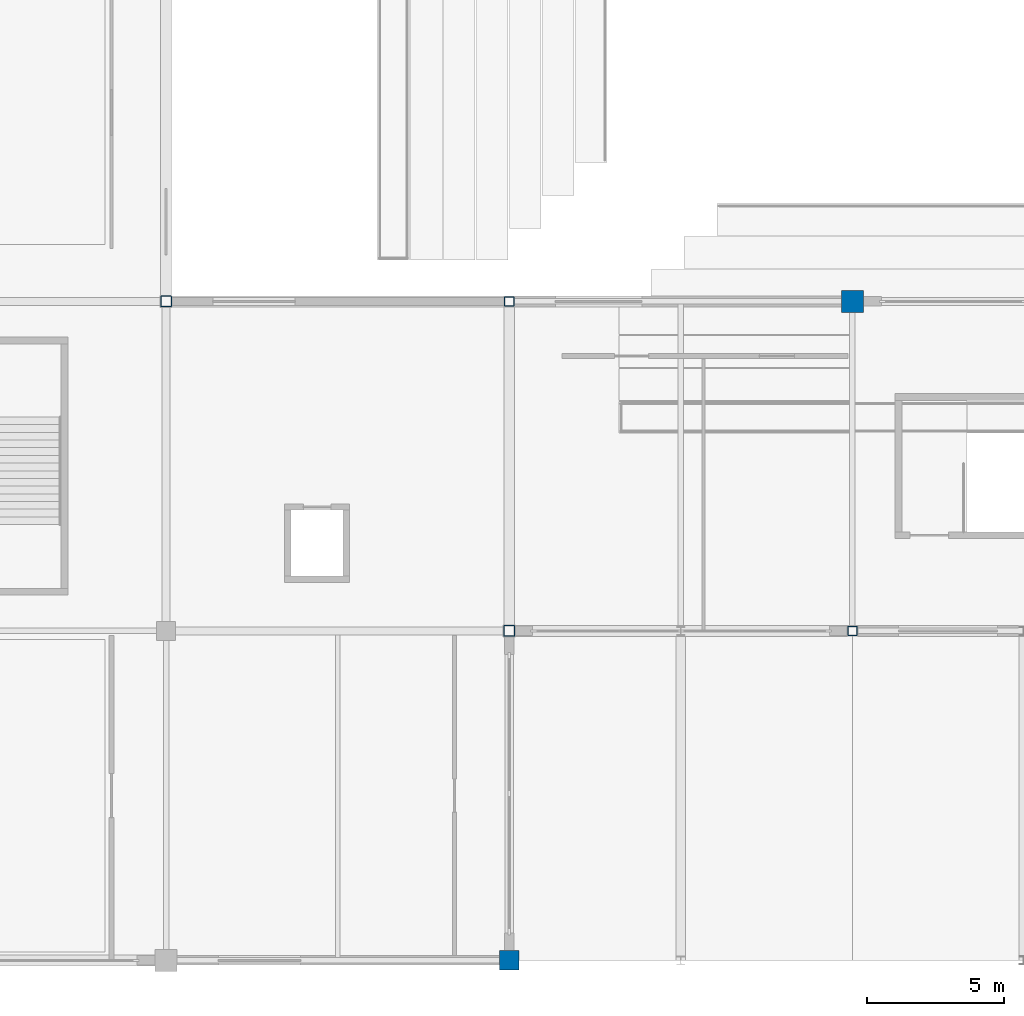
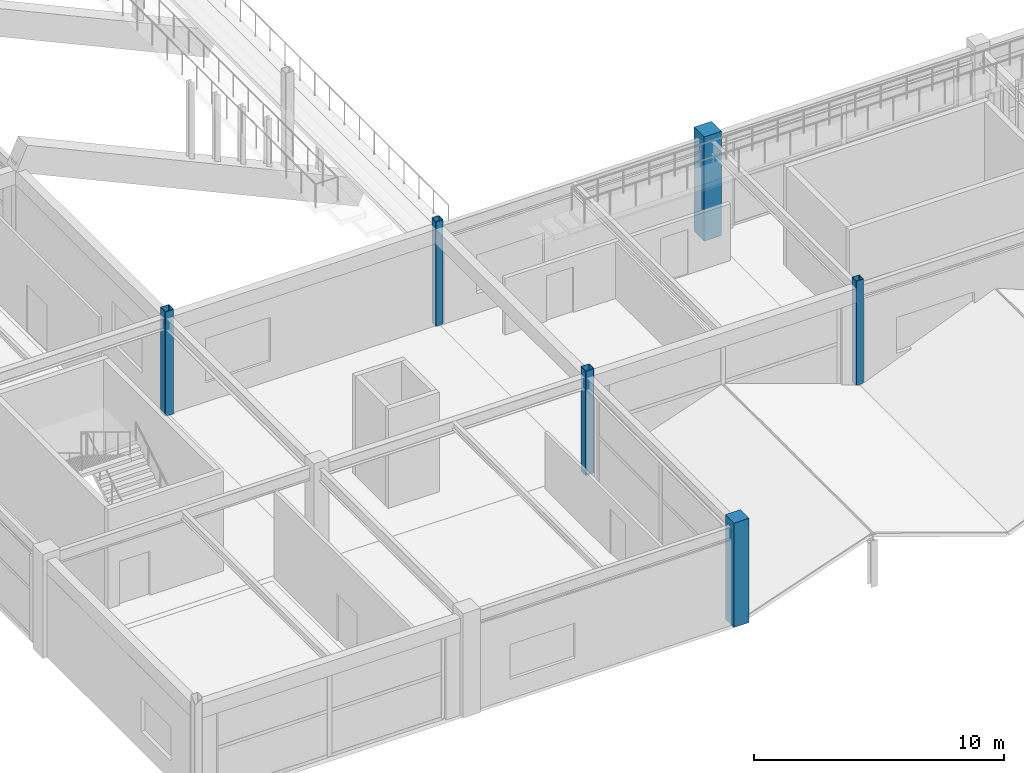
# One storey, part 2 of 128: 6 columns.
"""IFC4 building model written with IfcOpenShell, lengths in metres."""

from ifc_helpers import new_model, si_unit, direction, frame, origin, origin_2d, place, context, subcontext, project, spatial, rectangle, hollow_rectangle, extrude, material, material_profile, profile_set, type_object, element, save


model = new_model("IFC4")

# Units and contexts
model_context = context("Model", 3, precision=1e-05, world=origin(), true_north=direction((0.0, 1.0)))
body_context = subcontext(model_context, "Body", "Model", "MODEL_VIEW")
ifc_project = project(units=[si_unit("LENGTHUNIT", "METRE"), si_unit("AREAUNIT", "SQUARE_METRE"), si_unit("VOLUMEUNIT", "CUBIC_METRE"), si_unit("PLANEANGLEUNIT", "RADIAN"), si_unit("MASSUNIT", "GRAM", prefix="KILO")], contexts=[model_context])

# Site, building, storey
site_placement = place(None, origin())
site = spatial("IfcSite", under=ifc_project, at=site_placement, CompositionType="ELEMENT")
building_placement = place(site_placement, origin())
building = spatial("IfcBuilding", under=site, at=building_placement, Name="Kazenohara Klinker Stadium", CompositionType="ELEMENT")
storey_placement = place(building_placement, frame((0.0, 0.0, 15.300048828125)))
storey = spatial("IfcBuildingStorey", under=building, at=storey_placement, Name="L03", CompositionType="ELEMENT", Elevation=15.300048828125)

# Columns
ifc_material_1 = material(Name="Concrete C40/50", Category="concrete")
ifc_material_profile_1 = material_profile(ifc_material_1, rectangle(XDim=0.800048828125, YDim=0.800048828125, at=origin_2d()), Name="RC-COL-800x800")
ifc_profile_set_1 = profile_set([ifc_material_profile_1], Name="Concrete C40/50")
column_type_1 = type_object("IfcColumnType", Name="COL-RC05", PredefinedType="COLUMN", material=ifc_profile_set_1)
column_1_placement = place(storey_placement, frame((61.5, 36.0, 0.0), z_axis=(0.0, 0.0, 1.0), x_axis=(1.0, 0.0, 0.0)))
element("IfcColumn", 1, at=column_1_placement, inside=storey, type_object=column_type_1, Name="Column C05 L03 6/D", PredefinedType="COLUMN", context=body_context, shape_type="SweptSolid", body=[
    extrude(rectangle(XDim=0.800048828125, YDim=0.800048828125, at=origin_2d()), origin(), (0.0, 0.0, 1.0), 5.099853515625),
])
ifc_material_profile_2 = material_profile(ifc_material_1, rectangle(XDim=0.699951171875, YDim=0.699951171875, at=origin_2d()), Name="RC-COL-700x700")
ifc_profile_set_2 = profile_set([ifc_material_profile_2], Name="Concrete C40/50")
column_type_2 = type_object("IfcColumnType", Name="COL-RC06", PredefinedType="COLUMN", material=ifc_profile_set_2)
column_2_placement = place(storey_placement, frame((49.0, 12.0, 0.0), z_axis=(0.0, 0.0, 1.0), x_axis=(1.0, 0.0, 0.0)))
element("IfcColumn", 2, at=column_2_placement, inside=storey, type_object=column_type_2, Name="Column C06 L03 5/B", PredefinedType="COLUMN", context=body_context, shape_type="SweptSolid", body=[
    extrude(rectangle(XDim=0.699951171875, YDim=0.699951171875, at=origin_2d()), origin(), (0.0, 0.0, 1.0), 5.099853515625),
])
ifc_material_2 = material(Name="Steel S355", Category="steel")
ifc_material_profile_3 = material_profile(ifc_material_2, hollow_rectangle(XDim=0.39990234375, YDim=0.39990234375, WallThickness=0.01611328125, InnerFilletRadius=0.01611328125, OuterFilletRadius=0.031982421875, at=origin_2d()), Name="SHS-400x400x16")
ifc_profile_set_3 = profile_set([ifc_material_profile_3], Name="Steel S355")
column_type_3 = type_object("IfcColumnType", Name="COL-ST01", PredefinedType="COLUMN", material=ifc_profile_set_3)
for number, where, z_axis, x_axis, name in (
    (3, (36.5, 36.0, 0.0), (0.0, 0.0, 1.0), (1.0, 0.0, 0.0), "Column SC01 L03 4/D"),
    (4, (49.0, 24.0, 0.0), (0.0, 0.0, 1.0), (1.0, 0.0, 0.0), "Column SC01 L03 5/C"),
):
    element("IfcColumn", number, at=place(storey_placement, frame(where, z_axis=z_axis, x_axis=x_axis)), inside=storey, type_object=column_type_3, Name=name, PredefinedType="COLUMN", context=body_context, shape_type="SweptSolid", body=[
        extrude(hollow_rectangle(XDim=0.39990234375, YDim=0.39990234375, WallThickness=0.01611328125, InnerFilletRadius=0.01611328125, OuterFilletRadius=0.031982421875, at=origin_2d()), origin(), (0.0, 0.0, 1.0), 5.099853515625),
    ])
ifc_material_profile_4 = material_profile(ifc_material_2, hollow_rectangle(XDim=0.35009765625, YDim=0.35009765625, WallThickness=0.01611328125, InnerFilletRadius=0.01611328125, OuterFilletRadius=0.031982421875, at=origin_2d()), Name="SHS-350x350x16")
ifc_profile_set_4 = profile_set([ifc_material_profile_4], Name="Steel S355")
column_type_4 = type_object("IfcColumnType", Name="COL-ST02", PredefinedType="COLUMN", material=ifc_profile_set_4)
for number, where, z_axis, x_axis, name in (
    (5, (49.0, 36.0, 0.0), (0.0, 0.0, 1.0), (1.0, 0.0, 0.0), "Column SC02 L03 5/D"),
    (6, (61.5, 24.0, 0.0), (0.0, 0.0, 1.0), (1.0, 0.0, 0.0), "Column SC02 L03 6/C"),
):
    element("IfcColumn", number, at=place(storey_placement, frame(where, z_axis=z_axis, x_axis=x_axis)), inside=storey, type_object=column_type_4, Name=name, PredefinedType="COLUMN", context=body_context, shape_type="SweptSolid", body=[
        extrude(hollow_rectangle(XDim=0.35009765625, YDim=0.35009765625, WallThickness=0.01611328125, InnerFilletRadius=0.01611328125, OuterFilletRadius=0.031982421875, at=origin_2d()), origin(), (0.0, 0.0, 1.0), 5.099853515625),
    ])

save(model, "model.ifc")
